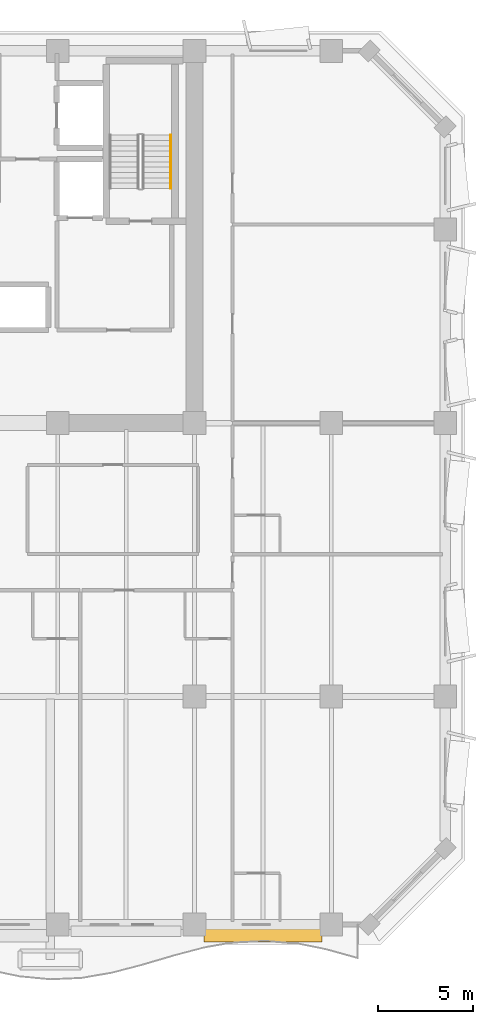
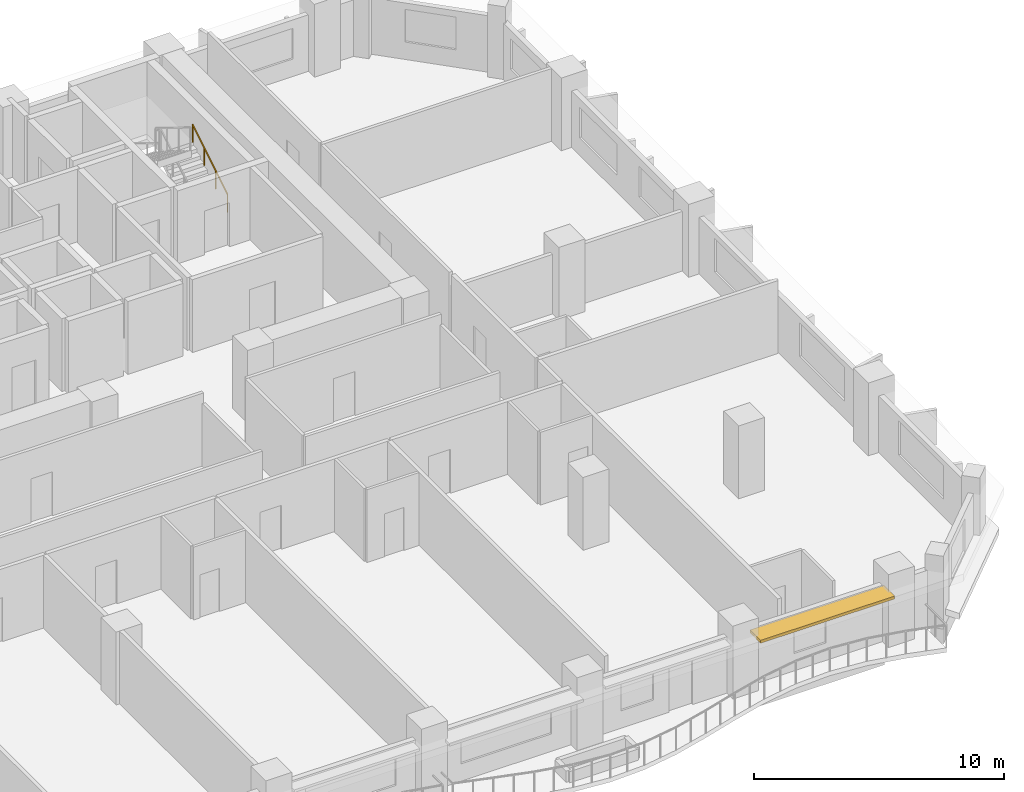
# One storey, part 15 of 15: 1 railing, 1 shading device.
"""IFC4 building model written with IfcOpenShell, lengths in metres."""

from ifc_helpers import new_model, si_unit, direction, frame, origin, origin_2d, place, context, subcontext, project, spatial, rectangle, extrude, material, layer, layer_set, type_object, element, save


model = new_model("IFC4")

# Units and contexts
model_context = context("Model", 3, precision=1e-05, world=origin(), true_north=direction((0.0, 1.0)))
body_context = subcontext(model_context, "Body", "Model", "MODEL_VIEW")
ifc_project = project(units=[si_unit("LENGTHUNIT", "METRE"), si_unit("AREAUNIT", "SQUARE_METRE"), si_unit("VOLUMEUNIT", "CUBIC_METRE"), si_unit("PLANEANGLEUNIT", "RADIAN"), si_unit("MASSUNIT", "GRAM", prefix="KILO")], contexts=[model_context])

# Site, building, storey
site_placement = place(None, origin())
site = spatial("IfcSite", under=ifc_project, at=site_placement, CompositionType="ELEMENT")
building_placement = place(site_placement, origin())
building = spatial("IfcBuilding", under=site, at=building_placement, Name="Kaelvorn Grand Hotel", CompositionType="ELEMENT")
storey_placement = place(building_placement, frame((0.0, 0.0, 173.35009765625)))
storey = spatial("IfcBuildingStorey", under=building, at=storey_placement, Name="L42", CompositionType="ELEMENT", Elevation=173.35009765625)

# Railing
ifc_material_1 = material(Name="Stainless Steel", Category="steel")
railing_type = type_object("IfcRailingType", Name="RL-HANDRAIL-900", PredefinedType="HANDRAIL", material=ifc_material_1)
railing_placement = place(storey_placement, frame((66.550048828125, 41.760009765625, 0.172607421875)))
element("IfcRailing", 1, at=railing_placement, inside=storey, type_object=railing_type, Name="L42 ST3 stair handrail 1", PredefinedType="HANDRAIL", context=body_context, shape_type="SweptSolid", body=[
    extrude(rectangle(XDim=0.048095703125, YDim=0.048095703125, at=origin_2d()), frame((0.0, 0.0, 0.8759765625), z_axis=(0.0, 0.851089632645, 0.525020415988), x_axis=(-1.0, 0.0, 0.0)), (0.0, 0.0, 1.0), 3.2900390625),
    extrude(rectangle(XDim=0.0419921875, YDim=0.0419921875, at=origin_2d()), origin(), (0.0, 0.0, 1.0), 0.851806640625),
    extrude(rectangle(XDim=0.0419921875, YDim=0.0419921875, at=origin_2d()), frame((0.0, 0.933349609375, 0.57568359375)), (0.0, 0.0, 1.0), 0.851806640625),
    extrude(rectangle(XDim=0.0419921875, YDim=0.0419921875, at=origin_2d()), frame((0.0, 1.86669921875, 1.151611328125)), (0.0, 0.0, 1.0), 0.851806640625),
    extrude(rectangle(XDim=0.0419921875, YDim=0.0419921875, at=origin_2d()), frame((0.0, 2.800048828125, 1.727294921875)), (0.0, 0.0, 1.0), 0.851806640625),
])

# Shading device
ifc_material_2 = material(Name="Precast concrete C45/55", Category="concrete")
ifc_layer = layer(ifc_material_2, 0.139892578125)
ifc_layer_set = layer_set([ifc_layer], Name="Precast concrete C45/55")
shading_device_type = type_object("IfcShadingDeviceType", Name="SHD-SUNSHADE-850", PredefinedType="USERDEFINED", material=ifc_layer_set)
shading_device_placement = place(storey_placement, frame((71.39990234375, 2.4951171875, 2.5498046875), z_axis=(0.0, 0.0, 1.0), x_axis=(1.0, 0.0, 0.0)))
element("IfcShadingDevice", 2, at=shading_device_placement, inside=storey, type_object=shading_device_type, Name="L42 Horizontal Concrete Sunshade Band SS-10", ObjectType="SUNSHADE", PredefinedType="USERDEFINED", context=body_context, shape_type="SweptSolid", body=[
    extrude(rectangle(XDim=6.199951171875, YDim=0.85009765625, at=origin_2d()), origin(), (0.0, 0.0, 1.0), 0.139892578125),
])

save(model, "model.ifc")
